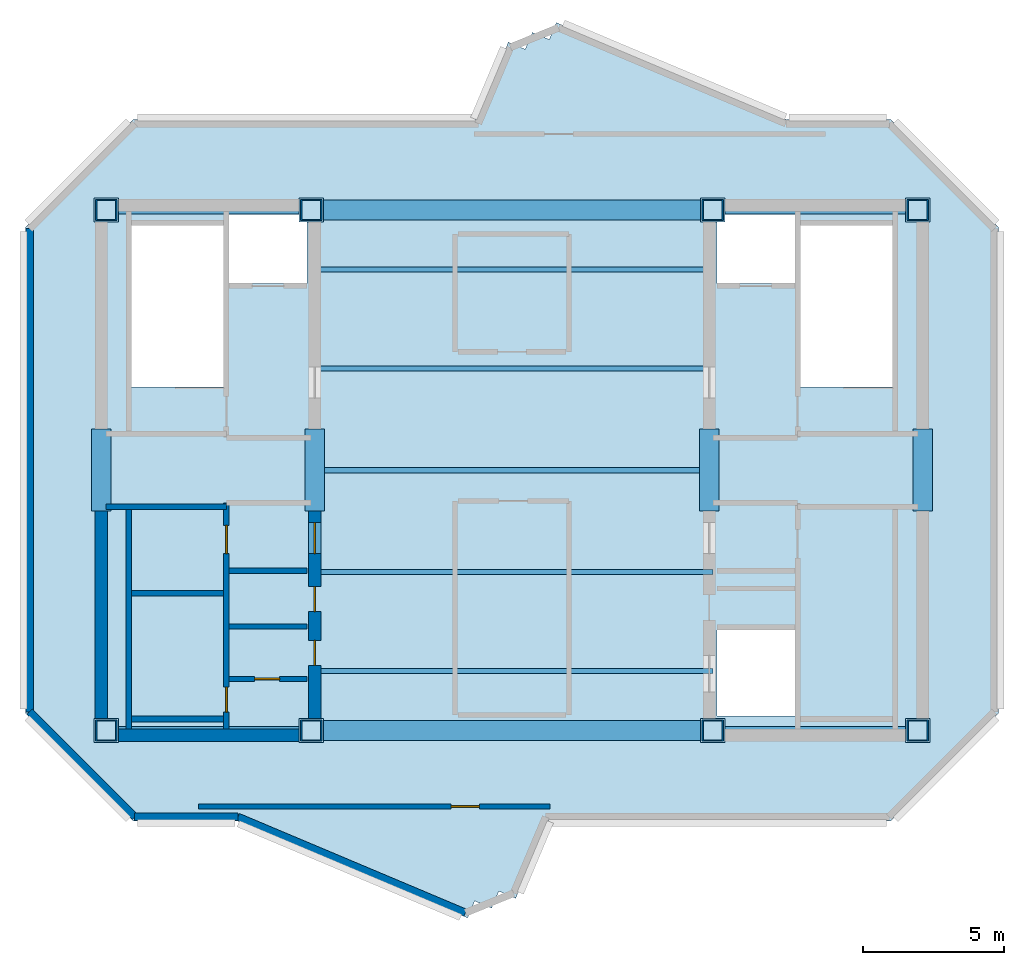
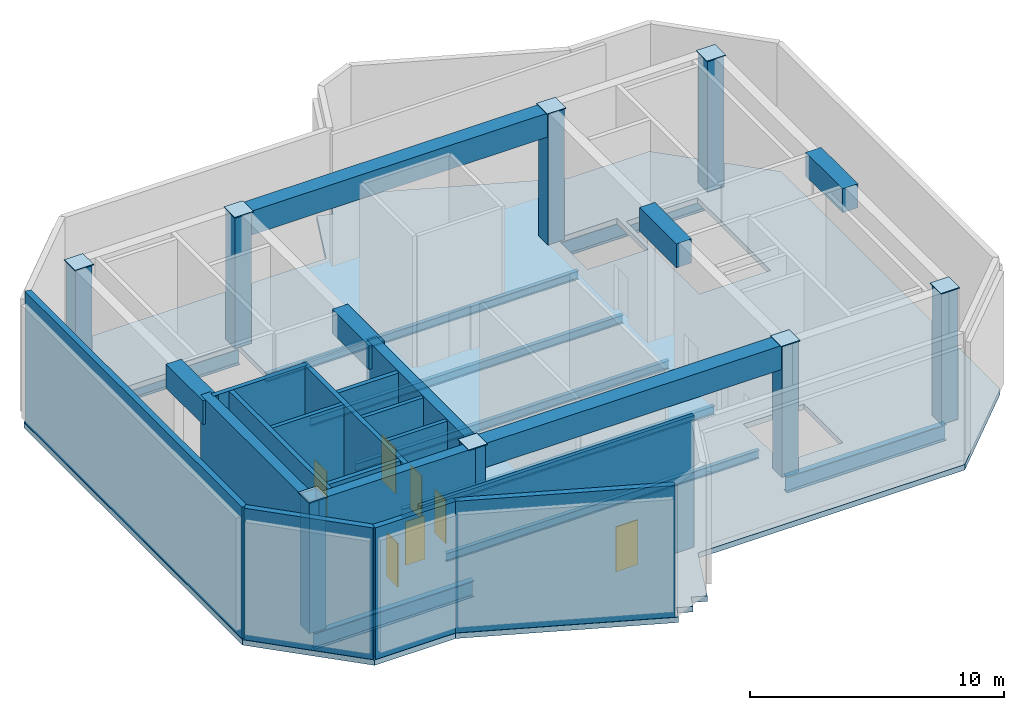
# One storey, part 1 of 4: 16 walls, 15 beams, 8 columns, 8 plates, 7 doors, 1 slab, 7 openings.
"""IFC4 building model written with IfcOpenShell, lengths in metres."""

from ifc_helpers import new_model, si_unit, direction, frame, frame_2d, origin, origin_2d, place, context, subcontext, project, spatial, polyline, rectangle, hollow_rectangle, i_section, outline, extrude, source, transform, mapped, material, layer, layer_set, material_profile, profile_set, type_object, element, fill, save


model = new_model("IFC4")

# Units and contexts
model_context = context("Model", 3, precision=1e-05, world=origin(), true_north=direction((0.0, 1.0)))
body_context = subcontext(model_context, "Body", "Model", "MODEL_VIEW")
ifc_project = project(units=[si_unit("LENGTHUNIT", "METRE"), si_unit("AREAUNIT", "SQUARE_METRE"), si_unit("VOLUMEUNIT", "CUBIC_METRE"), si_unit("PLANEANGLEUNIT", "RADIAN"), si_unit("MASSUNIT", "GRAM", prefix="KILO")], contexts=[model_context])

# Site, building, storey
site_placement = place(None, origin())
site = spatial("IfcSite", under=ifc_project, at=site_placement, CompositionType="ELEMENT")
building_placement = place(site_placement, origin())
building = spatial("IfcBuilding", under=site, at=building_placement, Name="Zahravan Cultural Tower", CompositionType="ELEMENT")
storey_placement = place(building_placement, frame((0.0, 0.0, 388.050048828125)))
storey = spatial("IfcBuildingStorey", under=building, at=storey_placement, Name="RF", CompositionType="ELEMENT", Elevation=388.050048828125)

# Columns
ifc_material_1 = material(Name="Steel ASTM A572 Grade 50", Category="steel")
ifc_material_profile_1 = material_profile(ifc_material_1, hollow_rectangle(XDim=0.75, YDim=0.75, WallThickness=0.0400390625, at=origin_2d()), Name="BOX750X750X40")
ifc_profile_set_1 = profile_set([ifc_material_profile_1], Name="Steel ASTM A572 Grade 50")
column_type = type_object("IfcColumnType", Name="COL-BOX750", PredefinedType="COLUMN", material=ifc_profile_set_1)
shared_shape_1 = source(origin(), body_context, "Body", "SweptSolid", [
    extrude(hollow_rectangle(XDim=0.75, YDim=0.75, WallThickness=0.0400390625, at=origin_2d()), origin(), (0.0, 0.0, 1.0), 6.320068359375),
])
for number, where, z_axis, x_axis, name in (
    (1, (21.64990234375, 17.800048828125, 0.0), (0.0, 0.0, 1.0), (1.0, 0.0, 0.0), "RF Column CC-W1"),
    (2, (28.89990234375, 17.800048828125, 0.0), (0.0, 0.0, 1.0), (1.0, 0.0, 0.0), "RF Column CC-W2"),
    (3, (21.64990234375, 36.199951171875, 0.0), (0.0, 0.0, 1.0), (1.0, 0.0, 0.0), "RF Column CC-W3"),
    (4, (28.89990234375, 36.199951171875, 0.0), (0.0, 0.0, 1.0), (1.0, 0.0, 0.0), "RF Column CC-W4"),
    (5, (43.10009765625, 17.800048828125, 0.0), (0.0, 0.0, 1.0), (1.0, 0.0, 0.0), "RF Column CC-E1"),
    (6, (50.35009765625, 17.800048828125, 0.0), (0.0, 0.0, 1.0), (1.0, 0.0, 0.0), "RF Column CC-E2"),
    (7, (43.10009765625, 36.199951171875, 0.0), (0.0, 0.0, 1.0), (1.0, 0.0, 0.0), "RF Column CC-E3"),
    (8, (50.35009765625, 36.199951171875, 0.0), (0.0, 0.0, 1.0), (1.0, 0.0, 0.0), "RF Column CC-E4"),
):
    element("IfcColumn", number, at=place(storey_placement, frame(where, z_axis=z_axis, x_axis=x_axis)), inside=storey, type_object=column_type, Name=name, PredefinedType="COLUMN", context=body_context, shape_type="MappedRepresentation", body=[
        mapped(shared_shape_1, transform((0.0, 0.0, 0.0), x_axis=(1.0, 0.0, 0.0), y_axis=(0.0, 1.0, 0.0), z_axis=(0.0, 0.0, 1.0), scale=1.0)),
    ])

# Beams
ifc_material_2 = material(Name="Concrete C50/60", Category="concrete")
ifc_material_profile_2 = material_profile(ifc_material_2, rectangle(XDim=0.699951171875, YDim=1.14990234375, at=origin_2d()), Name="RC700X1150")
ifc_profile_set_2 = profile_set([ifc_material_profile_2], Name="Concrete C50/60")
beam_type_1 = type_object("IfcBeamType", Name="BM-LN-RC700X1150", PredefinedType="LINTEL", material=ifc_profile_set_2)
shared_shape_2 = source(origin(), body_context, "Body", "SweptSolid", [
    extrude(rectangle(XDim=0.699951171875, YDim=1.14990234375, at=origin_2d()), origin(), (0.0, 0.0, 1.0), 14.2001953125),
])
for number, where, z_axis, x_axis, name in (
    (9, (28.89990234375, 17.800048828125, 5.744873046875), (1.0, 0.0, 0.0), (0.0, 1.0, 0.0), "RF Beam LN-RF-S"),
    (10, (28.89990234375, 36.199951171875, 5.744873046875), (1.0, 0.0, 0.0), (0.0, 1.0, 0.0), "RF Beam LN-RF-N"),
):
    element("IfcBeam", number, at=place(storey_placement, frame(where, z_axis=z_axis, x_axis=x_axis)), inside=storey, type_object=beam_type_1, Name=name, PredefinedType="LINTEL", context=body_context, shape_type="MappedRepresentation", body=[
        mapped(shared_shape_2, transform((0.0, 0.0, 0.0), x_axis=(1.0, 0.0, 0.0), y_axis=(0.0, 1.0, 0.0), z_axis=(0.0, 0.0, 1.0), scale=1.0)),
    ])
shared_shape_3 = source(origin(), body_context, "Body", "SweptSolid", [
    extrude(rectangle(XDim=0.699951171875, YDim=1.14990234375, at=origin_2d()), origin(), (0.0, 0.0, 1.0), 2.89990234375),
])
for number, where, z_axis, x_axis, name in (
    (11, (21.47509765625, 25.550048828125, 5.744873046875), (0.0, 1.0, 0.0), (-1.0, 0.0, 0.0), "RF Beam LN-RF-PWW"),
    (12, (29.02490234375, 25.550048828125, 5.744873046875), (0.0, 1.0, 0.0), (-1.0, 0.0, 0.0), "RF Beam LN-RF-PWE"),
    (13, (42.97509765625, 25.550048828125, 5.744873046875), (0.0, 1.0, 0.0), (-1.0, 0.0, 0.0), "RF Beam LN-RF-PEW"),
    (14, (50.52490234375, 25.550048828125, 5.744873046875), (0.0, 1.0, 0.0), (-1.0, 0.0, 0.0), "RF Beam LN-RF-PEE"),
):
    element("IfcBeam", number, at=place(storey_placement, frame(where, z_axis=z_axis, x_axis=x_axis)), inside=storey, type_object=beam_type_1, Name=name, PredefinedType="LINTEL", context=body_context, shape_type="MappedRepresentation", body=[
        mapped(shared_shape_3, transform((0.0, 0.0, 0.0), x_axis=(1.0, 0.0, 0.0), y_axis=(0.0, 1.0, 0.0), z_axis=(0.0, 0.0, 1.0), scale=1.0)),
    ])
ifc_material_3 = material(Name="Steel ASTM A992 Grade 50", Category="steel")
ifc_material_profile_3 = material_profile(ifc_material_3, i_section(OverallWidth=0.26611328125, OverallDepth=0.780029296875, WebThickness=0.0166015625, FlangeThickness=0.030029296875, FilletRadius=0.01904296875, at=origin_2d()), Name="W30X148")
ifc_profile_set_3 = profile_set([ifc_material_profile_3], Name="Steel ASTM A992 Grade 50")
beam_type_2 = type_object("IfcBeamType", Name="BM-G-W30X148", PredefinedType="BEAM", material=ifc_profile_set_3)
shared_shape_4 = source(origin(), body_context, "Body", "SweptSolid", [
    extrude(i_section(OverallWidth=0.26611328125, OverallDepth=0.780029296875, WebThickness=0.0166015625, FlangeThickness=0.030029296875, FilletRadius=0.01904296875, at=origin_2d()), origin(), (0.0, 0.0, 1.0), 7.25),
])
for number, where, z_axis, x_axis, name in (
    (15, (21.64990234375, 17.800048828125, -0.650146484375), (1.0, 0.0, 0.0), (0.0, 1.0, 0.0), "RF Beam BG-RF-01"),
    (16, (21.64990234375, 36.199951171875, -0.650146484375), (1.0, 0.0, 0.0), (0.0, 1.0, 0.0), "RF Beam BG-RF-02"),
    (17, (43.10009765625, 17.800048828125, -0.650146484375), (1.0, 0.0, 0.0), (0.0, 1.0, 0.0), "RF Beam BG-RF-04"),
    (18, (43.10009765625, 36.199951171875, -0.650146484375), (1.0, 0.0, 0.0), (0.0, 1.0, 0.0), "RF Beam BG-RF-05"),
):
    element("IfcBeam", number, at=place(storey_placement, frame(where, z_axis=z_axis, x_axis=x_axis)), inside=storey, type_object=beam_type_2, Name=name, PredefinedType="BEAM", context=body_context, shape_type="MappedRepresentation", body=[
        mapped(shared_shape_4, transform((0.0, 0.0, 0.0), x_axis=(1.0, 0.0, 0.0), y_axis=(0.0, 1.0, 0.0), z_axis=(0.0, 0.0, 1.0), scale=1.0)),
    ])
ifc_material_profile_4 = material_profile(ifc_material_3, i_section(OverallWidth=0.177978515625, OverallDepth=0.406005859375, WebThickness=0.0078125, FlangeThickness=0.0126953125, FilletRadius=0.011962890625, at=origin_2d()), Name="W16X40")
ifc_profile_set_4 = profile_set([ifc_material_profile_4], Name="Steel ASTM A992 Grade 50")
beam_type_3 = type_object("IfcBeamType", Name="BM-J-W16X40", PredefinedType="JOIST", material=ifc_profile_set_4)
shared_shape_5 = source(origin(), body_context, "Body", "SweptSolid", [
    extrude(i_section(OverallWidth=0.177978515625, OverallDepth=0.406005859375, WebThickness=0.0078125, FlangeThickness=0.0126953125, FilletRadius=0.011962890625, at=origin_2d()), origin(), (0.0, 0.0, 1.0), 14.2001953125),
])
for number, where, z_axis, x_axis, name in (
    (19, (28.89990234375, 19.89990234375, -0.463134765625), (1.0, 0.0, 0.0), (0.0, 1.0, 0.0), "RF Beam BJ-RF-07"),
    (20, (28.89990234375, 23.39990234375, -0.463134765625), (1.0, 0.0, 0.0), (0.0, 1.0, 0.0), "RF Beam BJ-RF-08"),
    (21, (28.89990234375, 27.0, -0.463134765625), (1.0, 0.0, 0.0), (0.0, 1.0, 0.0), "RF Beam BJ-RF-09"),
    (22, (28.89990234375, 30.60009765625, -0.463134765625), (1.0, 0.0, 0.0), (0.0, 1.0, 0.0), "RF Beam BJ-RF-10"),
    (23, (28.89990234375, 34.10009765625, -0.463134765625), (1.0, 0.0, 0.0), (0.0, 1.0, 0.0), "RF Beam BJ-RF-11"),
):
    element("IfcBeam", number, at=place(storey_placement, frame(where, z_axis=z_axis, x_axis=x_axis)), inside=storey, type_object=beam_type_3, Name=name, PredefinedType="JOIST", context=body_context, shape_type="MappedRepresentation", body=[
        mapped(shared_shape_5, transform((0.0, 0.0, 0.0), x_axis=(1.0, 0.0, 0.0), y_axis=(0.0, 1.0, 0.0), z_axis=(0.0, 0.0, 1.0), scale=1.0)),
    ])

# Slab
ifc_material_4 = material(Name="Concrete C40/50", Category="concrete")
ifc_layer_1 = layer(ifc_material_4, 0.260009765625)
ifc_layer_set_1 = layer_set([ifc_layer_1], Name="Concrete C40/50")
slab_type = type_object("IfcSlabType", Name="SL-ROOF-260", PredefinedType="ROOF", material=ifc_layer_set_1)
slab_placement = place(storey_placement, frame((0.0, 0.0, -0.260009765625)))
element("IfcSlab", 24, at=slab_placement, inside=storey, type_object=slab_type, Name="RF Crown Mechanical Deck Slab", PredefinedType="ROOF", context=body_context, shape_type="SweptSolid", body=[
    extrude(outline(polyline([(34.71435546875, 39.39990234375), (22.60009765625, 39.39990234375), (18.800048828125, 35.60009765625), (18.800048828125, 18.39990234375), (22.60009765625, 14.60009765625), (26.283447265625, 14.60009765625), (34.4287109375, 11.167724609375), (34.68115234375, 11.7666015625), (35.280029296875, 11.514404296875), (35.532470703125, 12.11328125), (36.131591796875, 11.86083984375), (37.28564453125, 14.60009765625), (49.39990234375, 14.60009765625), (53.199951171875, 18.39990234375), (53.199951171875, 35.60009765625), (49.39990234375, 39.39990234375), (45.716552734375, 39.39990234375), (37.5712890625, 42.832275390625), (37.31884765625, 42.2333984375), (36.719970703125, 42.485595703125), (36.467529296875, 41.88671875), (35.868408203125, 42.13916015625), (34.71435546875, 39.39990234375)]), holes=[polyline([(22.550048828125, 29.949951171875), (22.550048828125, 35.699951171875), (25.800048828125, 35.699951171875), (25.800048828125, 29.949951171875), (22.550048828125, 29.949951171875)]), polyline([(46.199951171875, 29.949951171875), (46.199951171875, 35.699951171875), (49.449951171875, 35.699951171875), (49.449951171875, 29.949951171875), (46.199951171875, 29.949951171875)]), polyline([(26.0, 33.60009765625), (26.0, 36.050048828125), (28.75, 36.050048828125), (28.75, 33.60009765625), (26.0, 33.60009765625)]), polyline([(43.25, 33.60009765625), (43.25, 36.050048828125), (46.0, 36.050048828125), (46.0, 33.60009765625), (43.25, 33.60009765625)]), polyline([(43.25, 18.300048828125), (43.25, 21.35009765625), (46.0, 21.35009765625), (46.0, 18.300048828125), (43.25, 18.300048828125)])]), origin(), (0.0, 0.0, 1.0), 0.260009765625),
])

# Plates
ifc_layer_2 = layer(ifc_material_1, 0.044921875)
ifc_layer_set_2 = layer_set([ifc_layer_2], Name="Steel ASTM A572 Grade 50")
plate_type = type_object("IfcPlateType", Name="PL-NODE-45", PredefinedType="SHEET", material=ifc_layer_set_2)
shared_shape_6 = source(origin(), body_context, "Body", "SweptSolid", [
    extrude(rectangle(XDim=0.85009765625, YDim=0.85009765625, at=origin_2d()), origin(), (0.0, 0.0, 1.0), 0.044921875),
])
for number, where, z_axis, x_axis, name in (
    (25, (21.64990234375, 17.800048828125, 6.297607421875), (0.0, 0.0, 1.0), (1.0, 0.0, 0.0), "RF Core Box Column Cap Plate CC-W1"),
    (26, (28.89990234375, 17.800048828125, 6.297607421875), (0.0, 0.0, 1.0), (1.0, 0.0, 0.0), "RF Core Box Column Cap Plate CC-W2"),
    (27, (21.64990234375, 36.199951171875, 6.297607421875), (0.0, 0.0, 1.0), (1.0, 0.0, 0.0), "RF Core Box Column Cap Plate CC-W3"),
    (28, (28.89990234375, 36.199951171875, 6.297607421875), (0.0, 0.0, 1.0), (1.0, 0.0, 0.0), "RF Core Box Column Cap Plate CC-W4"),
    (29, (43.10009765625, 17.800048828125, 6.297607421875), (0.0, 0.0, 1.0), (1.0, 0.0, 0.0), "RF Core Box Column Cap Plate CC-E1"),
    (30, (50.35009765625, 17.800048828125, 6.297607421875), (0.0, 0.0, 1.0), (1.0, 0.0, 0.0), "RF Core Box Column Cap Plate CC-E2"),
    (31, (43.10009765625, 36.199951171875, 6.297607421875), (0.0, 0.0, 1.0), (1.0, 0.0, 0.0), "RF Core Box Column Cap Plate CC-E3"),
    (32, (50.35009765625, 36.199951171875, 6.297607421875), (0.0, 0.0, 1.0), (1.0, 0.0, 0.0), "RF Core Box Column Cap Plate CC-E4"),
):
    element("IfcPlate", number, at=place(storey_placement, frame(where, z_axis=z_axis, x_axis=x_axis)), inside=storey, type_object=plate_type, Name=name, PredefinedType="SHEET", context=body_context, shape_type="MappedRepresentation", body=[
        mapped(shared_shape_6, transform((0.0, 0.0, 0.0), x_axis=(1.0, 0.0, 0.0), y_axis=(0.0, 1.0, 0.0), z_axis=(0.0, 0.0, 1.0), scale=1.0)),
    ])

# Wall, openings, doors
ifc_layer_3 = layer(ifc_material_2, 0.449951171875)
ifc_layer_set_3 = layer_set([ifc_layer_3], Name="Concrete C50/60")
wall_type_1 = type_object("IfcWallType", Name="CW-SHEAR-450-C50", PredefinedType="SHEAR", material=ifc_layer_set_3)
wall_1_placement = place(storey_placement, frame((29.02490234375, 17.39990234375, 0.0), z_axis=(0.0, 0.0, 1.0), x_axis=(0.0, 1.0, 0.0)))
wall_1 = element("IfcWall", 33, at=wall_1_placement, inside=storey, type_object=wall_type_1, Name="RF Core Shear Wall CW-W-ES-RF", PredefinedType="SHEAR", context=body_context, shape_type="SweptSolid", body=[
    extrude(rectangle(XDim=8.550048828125, YDim=0.449951171875, at=frame_2d((4.27490234375, 0.0))), origin(), (0.0, 0.0, 1.0), 6.320068359375),
])
opening_1_placement = place(wall_1_placement, frame((6.64990234375, 0.0, 0.0)))
opening_1 = element("IfcOpeningElement", 34, at=opening_1_placement, cuts=wall_1, Name="Opening D-RF-08", PredefinedType="OPENING", context=body_context, shape_type="SweptSolid", body=[
    extrude(rectangle(XDim=1.10009765625, YDim=2.199951171875, at=frame_2d((0.550048828125, 1.10009765625))), frame((0.0, 0.23486328125, 0.0), z_axis=(0.0, -1.0, 0.0), x_axis=(1.0, 0.0, 0.0)), (0.0, 0.0, 1.0), 0.469970703125),
])
opening_2_placement = place(wall_1_placement, frame((2.699951171875, 0.0, 0.0)))
opening_2 = element("IfcOpeningElement", 35, at=opening_2_placement, cuts=wall_1, Name="Opening D-RF-11", PredefinedType="OPENING", context=body_context, shape_type="SweptSolid", body=[
    extrude(rectangle(XDim=0.8798828125, YDim=2.10009765625, at=frame_2d((0.43994140625, 1.050048828125))), frame((0.0, 0.23486328125, 0.0), z_axis=(0.0, -1.0, 0.0), x_axis=(1.0, 0.0, 0.0)), (0.0, 0.0, 1.0), 0.469970703125),
])
opening_3_placement = place(wall_1_placement, frame((4.60009765625, 0.0, 0.0)))
opening_3 = element("IfcOpeningElement", 36, at=opening_3_placement, cuts=wall_1, Name="Opening D-RF-12", PredefinedType="OPENING", context=body_context, shape_type="SweptSolid", body=[
    extrude(rectangle(XDim=0.8798828125, YDim=2.10009765625, at=frame_2d((0.43994140625, 1.050048828125))), frame((0.0, 0.23486328125, 0.0), z_axis=(0.0, -1.0, 0.0), x_axis=(1.0, 0.0, 0.0)), (0.0, 0.0, 1.0), 0.469970703125),
])
door_type_1 = type_object("IfcDoorType", Name="DR-LOBBY-1100", OperationType="NOTDEFINED", PredefinedType="DOOR", material=ifc_material_1)
shared_shape_7 = source(origin(), body_context, "Body", "SweptSolid", [
    extrude(rectangle(XDim=1.10009765625, YDim=2.199951171875, at=frame_2d((0.550048828125, 1.10009765625))), frame((0.0, 0.02490234375, 0.0), z_axis=(0.0, -1.0, 0.0), x_axis=(1.0, 0.0, 0.0)), (0.0, 0.0, 1.0), 0.050048828125),
])
door_1_placement = place(opening_1_placement, origin())
door_1 = element("IfcDoor", 37, at=door_1_placement, inside=storey, type_object=door_type_1, Name="RF Door D-RF-08", OperationType="SINGLE_SWING_RIGHT", OverallHeight=2.199951171875, OverallWidth=1.10009765625, PredefinedType="DOOR", context=body_context, shape_type="MappedRepresentation", body=[
    mapped(shared_shape_7, transform((0.0, 0.0, 0.0), x_axis=(1.0, 0.0, 0.0), y_axis=(0.0, 1.0, 0.0), z_axis=(0.0, 0.0, 1.0), scale=1.0)),
])
fill(opening_1, door_1)
door_type_2 = type_object("IfcDoorType", Name="DR-SVC-880", OperationType="NOTDEFINED", PredefinedType="DOOR", material=ifc_material_1)
shared_shape_8 = source(origin(), body_context, "Body", "SweptSolid", [
    extrude(rectangle(XDim=0.8798828125, YDim=2.10009765625, at=frame_2d((0.43994140625, 1.050048828125))), frame((0.0, 0.02490234375, 0.0), z_axis=(0.0, -1.0, 0.0), x_axis=(1.0, 0.0, 0.0)), (0.0, 0.0, 1.0), 0.050048828125),
])
door_2_placement = place(opening_2_placement, origin())
door_2 = element("IfcDoor", 38, at=door_2_placement, inside=storey, type_object=door_type_2, Name="RF Door D-RF-11", OperationType="SINGLE_SWING_LEFT", OverallHeight=2.10009765625, OverallWidth=0.8798828125, PredefinedType="DOOR", context=body_context, shape_type="MappedRepresentation", body=[
    mapped(shared_shape_8, transform((0.0, 0.0, 0.0), x_axis=(1.0, 0.0, 0.0), y_axis=(0.0, 1.0, 0.0), z_axis=(0.0, 0.0, 1.0), scale=1.0)),
])
fill(opening_2, door_2)
door_3_placement = place(opening_3_placement, origin())
door_3 = element("IfcDoor", 39, at=door_3_placement, inside=storey, type_object=door_type_2, Name="RF Door D-RF-12", OperationType="SINGLE_SWING_RIGHT", OverallHeight=2.10009765625, OverallWidth=0.8798828125, PredefinedType="DOOR", context=body_context, shape_type="MappedRepresentation", body=[
    mapped(shared_shape_8, transform((0.0, 0.0, 0.0), x_axis=(1.0, 0.0, 0.0), y_axis=(0.0, 1.0, 0.0), z_axis=(0.0, 0.0, 1.0), scale=1.0)),
])
fill(opening_3, door_3)

# Wall, opening, door
ifc_material_5 = material(Name="Gypsum plasterboard partition")
ifc_layer_4 = layer(ifc_material_5, 0.179931640625)
ifc_layer_set_4 = layer_set([ifc_layer_4], Name="Gypsum plasterboard partition")
wall_type_2 = type_object("IfcWallType", Name="W-COMP-180", PredefinedType="PARTITIONING", material=ifc_layer_set_4)
wall_2_placement = place(storey_placement, frame((26.0, 19.6201171875, 0.0), z_axis=(0.0, 0.0, 1.0), x_axis=(1.0, 0.0, 0.0)))
wall_2 = element("IfcWall", 40, at=wall_2_placement, inside=storey, type_object=wall_type_2, Name="RF Interior Wall 027", PredefinedType="PARTITIONING", context=body_context, shape_type="SweptSolid", body=[
    extrude(rectangle(XDim=2.75, YDim=0.179931640625, at=frame_2d((1.375, 0.0))), origin(), (0.0, 0.0, 1.0), 6.320068359375),
])
opening_4_placement = place(wall_2_placement, frame((0.89990234375, 0.0, 0.0)))
opening_4 = element("IfcOpeningElement", 41, at=opening_4_placement, cuts=wall_2, Name="Opening D-RF-10", PredefinedType="OPENING", context=body_context, shape_type="SweptSolid", body=[
    extrude(rectangle(XDim=0.8798828125, YDim=2.10009765625, at=frame_2d((0.43994140625, 1.050048828125))), frame((0.0, 0.099853515625, 0.0), z_axis=(0.0, -1.0, 0.0), x_axis=(1.0, 0.0, 0.0)), (0.0, 0.0, 1.0), 0.199951171875),
])
door_4_placement = place(opening_4_placement, origin())
door_4 = element("IfcDoor", 42, at=door_4_placement, inside=storey, type_object=door_type_2, Name="RF Door D-RF-10", OperationType="SINGLE_SWING_RIGHT", OverallHeight=2.10009765625, OverallWidth=0.8798828125, PredefinedType="DOOR", context=body_context, shape_type="MappedRepresentation", body=[
    mapped(shared_shape_8, transform((0.0, 0.0, 0.0), x_axis=(1.0, 0.0, 0.0), y_axis=(0.0, 1.0, 0.0), z_axis=(0.0, 0.0, 1.0), scale=1.0)),
])
fill(opening_4, door_4)

wall_3_placement = place(storey_placement, frame((24.92138671875, 15.10888671875, 0.0), z_axis=(0.0, 0.0, 1.0), x_axis=(0.999999995176, 9.8227967e-05, 0.0)))
wall_3 = element("IfcWall", 43, at=wall_3_placement, inside=storey, type_object=wall_type_2, Name="RF Interior Wall 035", PredefinedType="PARTITIONING", context=body_context, shape_type="SweptSolid", body=[
    extrude(rectangle(XDim=12.42724609375, YDim=0.179931640625, at=frame_2d((6.213623046875, 0.0))), origin(), (0.0, 0.0, 1.0), 6.320068359375),
])
opening_5_placement = place(wall_3_placement, frame((8.92724609375, 0.0, 0.0)))
opening_5 = element("IfcOpeningElement", 44, at=opening_5_placement, cuts=wall_3, Name="Opening D-RF-17", PredefinedType="OPENING", context=body_context, shape_type="SweptSolid", body=[
    extrude(rectangle(XDim=1.0, YDim=2.14990234375, at=frame_2d((0.5, 1.074951171875))), frame((0.0, 0.099853515625, 0.0), z_axis=(0.0, -1.0, 0.0), x_axis=(1.0, 0.0, 0.0)), (0.0, 0.0, 1.0), 0.199951171875),
])
door_type_3 = type_object("IfcDoorType", Name="DR-COMP-1000", OperationType="NOTDEFINED", PredefinedType="DOOR", material=ifc_material_1)
shared_shape_9 = source(origin(), body_context, "Body", "SweptSolid", [
    extrude(rectangle(XDim=1.0, YDim=2.14990234375, at=frame_2d((0.5, 1.074951171875))), frame((0.0, 0.02490234375, 0.0), z_axis=(0.0, -1.0, 0.0), x_axis=(1.0, 0.0, 0.0)), (0.0, 0.0, 1.0), 0.050048828125),
])
door_5_placement = place(opening_5_placement, origin())
door_5 = element("IfcDoor", 45, at=door_5_placement, inside=storey, type_object=door_type_3, Name="RF Door D-RF-17", OperationType="SINGLE_SWING_LEFT", OverallHeight=2.14990234375, OverallWidth=1.0, PredefinedType="DOOR", context=body_context, shape_type="MappedRepresentation", body=[
    mapped(shared_shape_9, transform((0.0, 0.0, 0.0), x_axis=(1.0, 0.0, 0.0), y_axis=(0.0, 1.0, 0.0), z_axis=(0.0, 0.0, 1.0), scale=1.0)),
])
fill(opening_5, door_5)

# Wall, openings, doors
ifc_material_6 = material(Name="Concrete C45/55", Category="concrete")
ifc_layer_5 = layer(ifc_material_6, 0.199951171875)
ifc_layer_set_5 = layer_set([ifc_layer_5], Name="Concrete C45/55")
wall_type_3 = type_object("IfcWallType", Name="W-SHAFT-200", PredefinedType="SOLIDWALL", material=ifc_layer_set_5)
wall_4_placement = place(storey_placement, frame((25.89990234375, 17.85009765625, 0.0), z_axis=(0.0, 0.0, 1.0), x_axis=(0.0, 1.0, 0.0)))
wall_4 = element("IfcWall", 46, at=wall_4_placement, inside=storey, type_object=wall_type_3, Name="RF Interior Wall 005", PredefinedType="SOLIDWALL", context=body_context, shape_type="SweptSolid", body=[
    extrude(rectangle(XDim=8.0, YDim=0.199951171875, at=frame_2d((4.0, 0.0))), origin(), (0.0, 0.0, 1.0), 6.320068359375),
])
opening_6_placement = place(wall_4_placement, frame((6.199951171875, 0.0, 0.0)))
opening_6 = element("IfcOpeningElement", 47, at=opening_6_placement, cuts=wall_4, Name="Opening D-RF-04", PredefinedType="OPENING", context=body_context, shape_type="SweptSolid", body=[
    extrude(rectangle(XDim=1.0, YDim=2.14990234375, at=frame_2d((0.5, 1.074951171875))), frame((0.0, 0.10986328125, 0.0), z_axis=(0.0, -1.0, 0.0), x_axis=(1.0, 0.0, 0.0)), (0.0, 0.0, 1.0), 0.219970703125),
])
opening_7_placement = place(wall_4_placement, frame((0.60009765625, 0.0, 0.0)))
opening_7 = element("IfcOpeningElement", 48, at=opening_7_placement, cuts=wall_4, Name="Opening D-RF-05", PredefinedType="OPENING", context=body_context, shape_type="SweptSolid", body=[
    extrude(rectangle(XDim=0.8798828125, YDim=2.10009765625, at=frame_2d((0.43994140625, 1.050048828125))), frame((0.0, 0.10986328125, 0.0), z_axis=(0.0, -1.0, 0.0), x_axis=(1.0, 0.0, 0.0)), (0.0, 0.0, 1.0), 0.219970703125),
])
door_6_placement = place(opening_7_placement, origin())
door_6 = element("IfcDoor", 49, at=door_6_placement, inside=storey, type_object=door_type_2, Name="RF Door D-RF-05", OperationType="SINGLE_SWING_LEFT", OverallHeight=2.10009765625, OverallWidth=0.8798828125, PredefinedType="DOOR", context=body_context, shape_type="MappedRepresentation", body=[
    mapped(shared_shape_8, transform((0.0, 0.0, 0.0), x_axis=(1.0, 0.0, 0.0), y_axis=(0.0, 1.0, 0.0), z_axis=(0.0, 0.0, 1.0), scale=1.0)),
])
fill(opening_7, door_6)
door_7_placement = place(opening_6_placement, origin())
door_7 = element("IfcDoor", 50, at=door_7_placement, inside=storey, type_object=door_type_3, Name="RF Door D-RF-04", OperationType="SINGLE_SWING_RIGHT", OverallHeight=2.14990234375, OverallWidth=1.0, PredefinedType="DOOR", context=body_context, shape_type="MappedRepresentation", body=[
    mapped(shared_shape_9, transform((0.0, 0.0, 0.0), x_axis=(1.0, 0.0, 0.0), y_axis=(0.0, 1.0, 0.0), z_axis=(0.0, 0.0, 1.0), scale=1.0)),
])
fill(opening_6, door_7)

# Walls
shared_shape_10 = source(origin(), body_context, "Body", "SweptSolid", [
    extrude(rectangle(XDim=8.550048828125, YDim=0.449951171875, at=frame_2d((4.27490234375, 0.0))), origin(), (0.0, 0.0, 1.0), 6.320068359375),
])
wall_5_placement = place(storey_placement, frame((21.47509765625, 17.39990234375, 0.0), z_axis=(0.0, 0.0, 1.0), x_axis=(0.0, 1.0, 0.0)))
element("IfcWall", 51, at=wall_5_placement, inside=storey, type_object=wall_type_1, Name="RF Core Shear Wall CW-W-WS-RF", PredefinedType="SHEAR", context=body_context, shape_type="MappedRepresentation", body=[
    mapped(shared_shape_10, transform((0.0, 0.0, 0.0), x_axis=(1.0, 0.0, 0.0), y_axis=(0.0, 1.0, 0.0), z_axis=(0.0, 0.0, 1.0), scale=1.0)),
])
shared_shape_11 = source(origin(), body_context, "Body", "SweptSolid", [
    extrude(rectangle(XDim=7.10009765625, YDim=0.449951171875, at=frame_2d((3.550048828125, 0.0))), origin(), (0.0, 0.0, 1.0), 6.320068359375),
])
wall_6_placement = place(storey_placement, frame((21.699951171875, 17.625, 0.0), z_axis=(0.0, 0.0, 1.0), x_axis=(1.0, 0.0, 0.0)))
element("IfcWall", 52, at=wall_6_placement, inside=storey, type_object=wall_type_1, Name="RF Core Shear Wall CW-W-S-RF", PredefinedType="SHEAR", context=body_context, shape_type="MappedRepresentation", body=[
    mapped(shared_shape_11, transform((0.0, 0.0, 0.0), x_axis=(1.0, 0.0, 0.0), y_axis=(0.0, 1.0, 0.0), z_axis=(0.0, 0.0, 1.0), scale=1.0)),
])
ifc_material_7 = material(Name="Precast concrete C40/50", Category="concrete")
ifc_layer_6 = layer(ifc_material_7, 0.260009765625)
ifc_layer_set_6 = layer_set([ifc_layer_6], Name="Precast concrete C40/50")
wall_type_4 = type_object("IfcWallType", Name="EW-CROWN-260", PredefinedType="SOLIDWALL", material=ifc_layer_set_6)
shared_shape_12 = source(origin(), body_context, "Body", "SweptSolid", [
    extrude(rectangle(XDim=8.72705078125, YDim=0.260009765625, at=frame_2d((4.363525390625, 0.0))), origin(), (0.0, 0.0, 1.0), 6.320068359375),
])
wall_7_placement = place(storey_placement, frame((34.35400390625, 11.35107421875, 0.0), z_axis=(0.0, 0.0, 1.0), x_axis=(-0.921524227272, 0.38832087061, 0.0)))
element("IfcWall", 53, at=wall_7_placement, inside=storey, type_object=wall_type_4, Name="RF Crown Enclosure Wall 11", PredefinedType="SOLIDWALL", context=body_context, shape_type="MappedRepresentation", body=[
    mapped(shared_shape_12, transform((0.0, 0.0, 0.0), x_axis=(1.0, 0.0, 0.0), y_axis=(0.0, 1.0, 0.0), z_axis=(0.0, 0.0, 1.0), scale=1.0)),
])
shared_shape_13 = source(origin(), body_context, "Body", "SweptSolid", [
    extrude(rectangle(XDim=3.65380859375, YDim=0.260009765625, at=frame_2d((1.826904296875, 0.0))), origin(), (0.0, 0.0, 1.0), 6.320068359375),
])
wall_8_placement = place(storey_placement, frame((26.311767578125, 14.739990234375, 0.0), z_axis=(0.0, 0.0, 1.0), x_axis=(-1.0, 0.0, 0.0)))
element("IfcWall", 54, at=wall_8_placement, inside=storey, type_object=wall_type_4, Name="RF Crown Enclosure Wall 12", PredefinedType="SOLIDWALL", context=body_context, shape_type="MappedRepresentation", body=[
    mapped(shared_shape_13, transform((0.0, 0.0, 0.0), x_axis=(1.0, 0.0, 0.0), y_axis=(0.0, 1.0, 0.0), z_axis=(0.0, 0.0, 1.0), scale=1.0)),
])
shared_shape_14 = source(origin(), body_context, "Body", "SweptSolid", [
    extrude(rectangle(XDim=5.258056640625, YDim=0.260009765625, at=frame_2d((2.62890625, 0.0))), origin(), (0.0, 0.0, 1.0), 6.320068359375),
])
wall_9_placement = place(storey_placement, frame((22.657958984375, 14.739990234375, 0.0), z_axis=(0.0, 0.0, 1.0), x_axis=(-0.707106781187, 0.707106781187, 0.0)))
element("IfcWall", 55, at=wall_9_placement, inside=storey, type_object=wall_type_4, Name="RF Crown Enclosure Wall 13", PredefinedType="SOLIDWALL", context=body_context, shape_type="MappedRepresentation", body=[
    mapped(shared_shape_14, transform((0.0, 0.0, 0.0), x_axis=(1.0, 0.0, 0.0), y_axis=(0.0, 1.0, 0.0), z_axis=(0.0, 0.0, 1.0), scale=1.0)),
])
shared_shape_15 = source(origin(), body_context, "Body", "SweptSolid", [
    extrude(rectangle(XDim=17.083984375, YDim=0.260009765625, at=frame_2d((8.5419921875, 0.0))), origin(), (0.0, 0.0, 1.0), 6.320068359375),
])
wall_10_placement = place(storey_placement, frame((18.93994140625, 18.4580078125, 0.0), z_axis=(0.0, 0.0, 1.0), x_axis=(0.0, 1.0, 0.0)))
element("IfcWall", 56, at=wall_10_placement, inside=storey, type_object=wall_type_4, Name="RF Crown Enclosure Wall 14", PredefinedType="SOLIDWALL", context=body_context, shape_type="MappedRepresentation", body=[
    mapped(shared_shape_15, transform((0.0, 0.0, 0.0), x_axis=(1.0, 0.0, 0.0), y_axis=(0.0, 1.0, 0.0), z_axis=(0.0, 0.0, 1.0), scale=1.0)),
])
shared_shape_16 = source(origin(), body_context, "Body", "SweptSolid", [
    extrude(rectangle(XDim=7.869873046875, YDim=0.199951171875, at=frame_2d((3.93505859375, 0.0))), origin(), (0.0, 0.0, 1.0), 6.320068359375),
])
wall_11_placement = place(storey_placement, frame((22.449951171875, 17.85009765625, 0.0), z_axis=(0.0, 0.0, 1.0), x_axis=(0.0, 1.0, 0.0)))
element("IfcWall", 57, at=wall_11_placement, inside=storey, type_object=wall_type_3, Name="RF Interior Wall 001", PredefinedType="SOLIDWALL", context=body_context, shape_type="MappedRepresentation", body=[
    mapped(shared_shape_16, transform((0.0, 0.0, 0.0), x_axis=(1.0, 0.0, 0.0), y_axis=(0.0, 1.0, 0.0), z_axis=(0.0, 0.0, 1.0), scale=1.0)),
])
shared_shape_17 = source(origin(), body_context, "Body", "SweptSolid", [
    extrude(rectangle(XDim=4.25, YDim=0.199951171875, at=frame_2d((2.125, 0.0))), origin(), (0.0, 0.0, 1.0), 6.320068359375),
])
wall_12_placement = place(storey_placement, frame((21.64990234375, 25.715087890625, 0.0), z_axis=(0.0, 0.0, 1.0), x_axis=(1.0, 0.0, 0.0)))
element("IfcWall", 58, at=wall_12_placement, inside=storey, type_object=wall_type_3, Name="RF Interior Wall 009", PredefinedType="SOLIDWALL", context=body_context, shape_type="MappedRepresentation", body=[
    mapped(shared_shape_17, transform((0.0, 0.0, 0.0), x_axis=(1.0, 0.0, 0.0), y_axis=(0.0, 1.0, 0.0), z_axis=(0.0, 0.0, 1.0), scale=1.0)),
])
shared_shape_18 = source(origin(), body_context, "Body", "SweptSolid", [
    extrude(rectangle(XDim=3.25, YDim=0.199951171875, at=frame_2d((1.625, 0.0))), origin(), (0.0, 0.0, 1.0), 6.320068359375),
])
wall_13_placement = place(storey_placement, frame((22.550048828125, 18.199951171875, 0.0), z_axis=(0.0, 0.0, 1.0), x_axis=(1.0, 0.0, 0.0)))
element("IfcWall", 59, at=wall_13_placement, inside=storey, type_object=wall_type_3, Name="RF Interior Wall 019", PredefinedType="SOLIDWALL", context=body_context, shape_type="MappedRepresentation", body=[
    mapped(shared_shape_18, transform((0.0, 0.0, 0.0), x_axis=(1.0, 0.0, 0.0), y_axis=(0.0, 1.0, 0.0), z_axis=(0.0, 0.0, 1.0), scale=1.0)),
])
shared_shape_19 = source(origin(), body_context, "Body", "SweptSolid", [
    extrude(rectangle(XDim=3.25, YDim=0.179931640625, at=frame_2d((1.625, 0.0))), origin(), (0.0, 0.0, 1.0), 6.320068359375),
])
wall_14_placement = place(storey_placement, frame((22.550048828125, 22.64990234375, 0.0), z_axis=(0.0, 0.0, 1.0), x_axis=(1.0, 0.0, 0.0)))
element("IfcWall", 60, at=wall_14_placement, inside=storey, type_object=wall_type_2, Name="RF Interior Wall 021", PredefinedType="PARTITIONING", context=body_context, shape_type="MappedRepresentation", body=[
    mapped(shared_shape_19, transform((0.0, 0.0, 0.0), x_axis=(1.0, 0.0, 0.0), y_axis=(0.0, 1.0, 0.0), z_axis=(0.0, 0.0, 1.0), scale=1.0)),
])
shared_shape_20 = source(origin(), body_context, "Body", "SweptSolid", [
    extrude(rectangle(XDim=2.75, YDim=0.199951171875, at=frame_2d((1.375, 0.0))), origin(), (0.0, 0.0, 1.0), 6.320068359375),
])
wall_15_placement = place(storey_placement, frame((26.0, 23.449951171875, 0.0), z_axis=(0.0, 0.0, 1.0), x_axis=(1.0, 0.0, 0.0)))
element("IfcWall", 61, at=wall_15_placement, inside=storey, type_object=wall_type_3, Name="RF Interior Wall 024", PredefinedType="SOLIDWALL", context=body_context, shape_type="MappedRepresentation", body=[
    mapped(shared_shape_20, transform((0.0, 0.0, 0.0), x_axis=(1.0, 0.0, 0.0), y_axis=(0.0, 1.0, 0.0), z_axis=(0.0, 0.0, 1.0), scale=1.0)),
])
shared_shape_21 = source(origin(), body_context, "Body", "SweptSolid", [
    extrude(rectangle(XDim=2.75, YDim=0.179931640625, at=frame_2d((1.375, 0.0))), origin(), (0.0, 0.0, 1.0), 6.320068359375),
])
wall_16_placement = place(storey_placement, frame((26.0, 21.47998046875, 0.0), z_axis=(0.0, 0.0, 1.0), x_axis=(1.0, 0.0, 0.0)))
element("IfcWall", 62, at=wall_16_placement, inside=storey, type_object=wall_type_2, Name="RF Interior Wall 028", PredefinedType="PARTITIONING", context=body_context, shape_type="MappedRepresentation", body=[
    mapped(shared_shape_21, transform((0.0, 0.0, 0.0), x_axis=(1.0, 0.0, 0.0), y_axis=(0.0, 1.0, 0.0), z_axis=(0.0, 0.0, 1.0), scale=1.0)),
])

save(model, "model.ifc")
